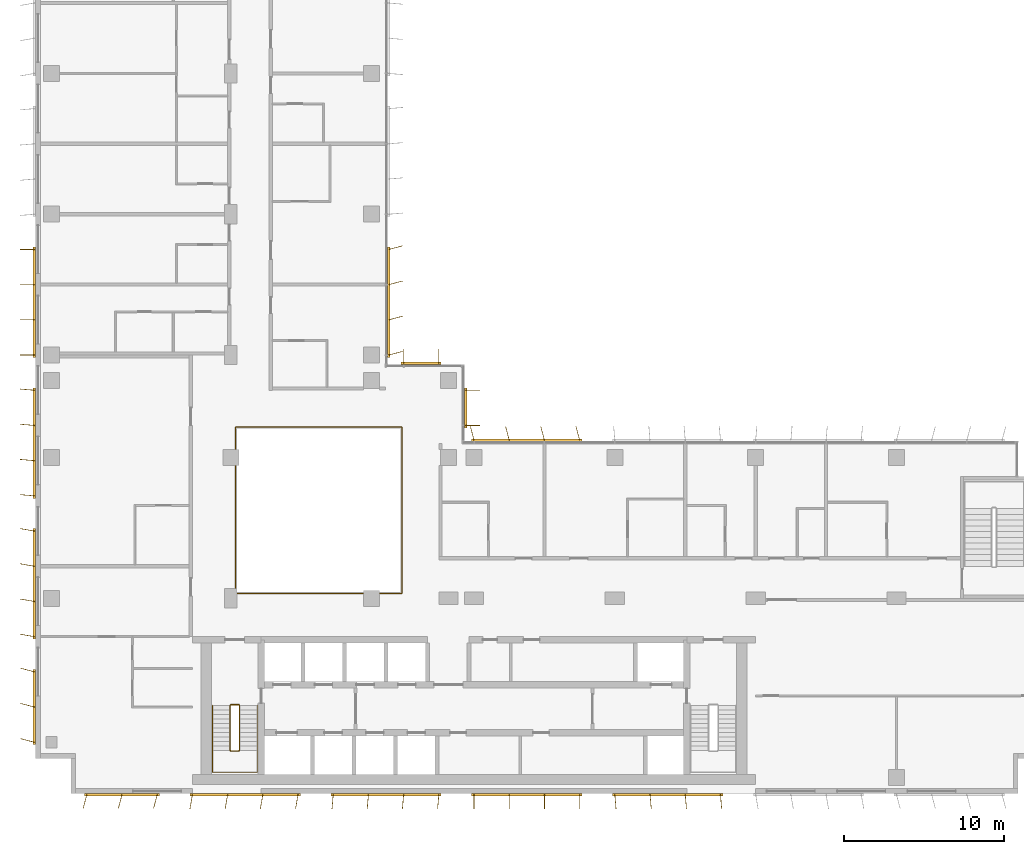
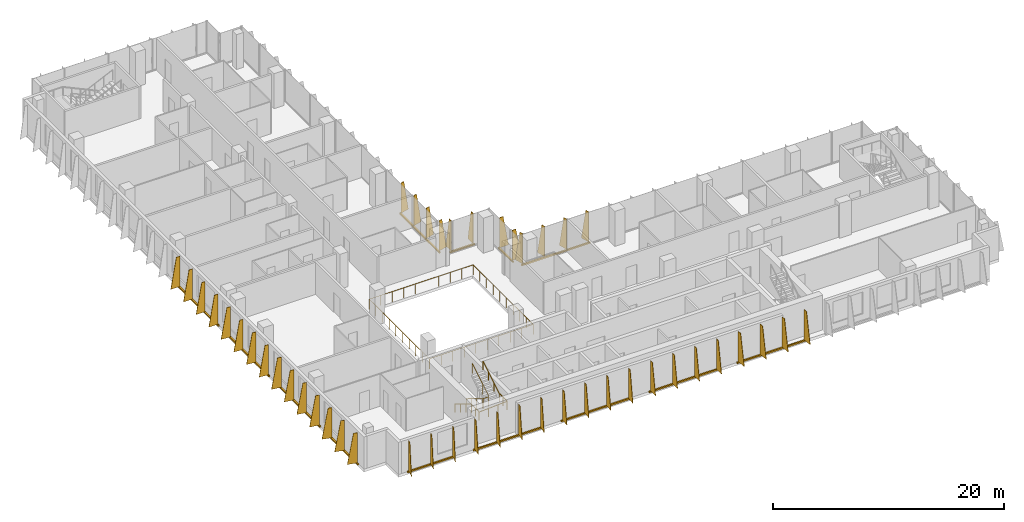
# One storey, part 19 of 21: 13 shading devices, 3 railings.
"""IFC4 building model written with IfcOpenShell, lengths in metres."""

from ifc_helpers import new_model, si_unit, direction, frame, origin, origin_2d, place, context, subcontext, project, spatial, polyline, rectangle, circle, outline, extrude, source, transform, mapped, material, layer, layer_set, type_object, element, save


model = new_model("IFC4")

# Units and contexts
model_context = context("Model", 3, precision=1e-05, world=origin(), true_north=direction((0.0, 1.0)))
body_context = subcontext(model_context, "Body", "Model", "MODEL_VIEW")
ifc_project = project(units=[si_unit("LENGTHUNIT", "METRE"), si_unit("AREAUNIT", "SQUARE_METRE"), si_unit("VOLUMEUNIT", "CUBIC_METRE"), si_unit("PLANEANGLEUNIT", "RADIAN"), si_unit("MASSUNIT", "GRAM", prefix="KILO")], contexts=[model_context])

# Site, building, storey
site_placement = place(None, origin())
site = spatial("IfcSite", under=ifc_project, at=site_placement, CompositionType="ELEMENT")
building_placement = place(site_placement, origin())
building = spatial("IfcBuilding", under=site, at=building_placement, Name="Kemantara Hotel Tower", CompositionType="ELEMENT")
storey_placement = place(building_placement, frame((0.0, 0.0, 175.300048828125)))
storey = spatial("IfcBuildingStorey", under=building, at=storey_placement, Name="L43", CompositionType="ELEMENT", Elevation=175.300048828125)

# Railings
ifc_material_1 = material(Name="Stainless steel and laminated glass balustrade", Category="steel")
railing_type_1 = type_object("IfcRailingType", Name="ATRIUM GUARD 1100", PredefinedType="GUARDRAIL", material=ifc_material_1)
railing_1_placement = place(storey_placement, frame((12.56005859375, 12.5, 0.0)))
element("IfcRailing", 1, at=railing_1_placement, inside=storey, type_object=railing_type_1, Name="ATRIUM GUARD L43", PredefinedType="GUARDRAIL", context=body_context, shape_type="SweptSolid", body=[
    extrude(circle(Radius=0.02490234375, at=origin_2d()), frame((0.0, 0.0, 1.0751953125), z_axis=(1.0, 0.0, 0.0), x_axis=(0.0, 1.0, 0.0)), (0.0, 0.0, 1.0), 10.33984375),
    extrude(circle(Radius=0.02490234375, at=origin_2d()), frame((10.33984375, 0.0, 1.0751953125), z_axis=(0.0, 1.0, 0.0), x_axis=(-1.0, 0.0, 0.0)), (0.0, 0.0, 1.0), 10.39990234375),
    extrude(circle(Radius=0.02490234375, at=origin_2d()), frame((10.33984375, 10.39990234375, 1.0751953125), z_axis=(-1.0, 0.0, 0.0), x_axis=(0.0, -1.0, 0.0)), (0.0, 0.0, 1.0), 10.39990234375),
    extrude(circle(Radius=0.02490234375, at=origin_2d()), frame((-0.06005859375, 10.39990234375, 1.0751953125), z_axis=(0.0, -1.0, 0.0), x_axis=(1.0, 0.0, 0.0)), (0.0, 0.0, 1.0), 10.39990234375),
    extrude(circle(Radius=0.02001953125, at=origin_2d()), origin(), (0.0, 0.0, 1.0), 1.050048828125),
    extrude(circle(Radius=0.02001953125, at=origin_2d()), frame((1.14892578125, 0.0, 0.0)), (0.0, 0.0, 1.0), 1.050048828125),
    extrude(circle(Radius=0.02001953125, at=origin_2d()), frame((2.2978515625, 0.0, 0.0)), (0.0, 0.0, 1.0), 1.050048828125),
    extrude(circle(Radius=0.02001953125, at=origin_2d()), frame((3.446533203125, 0.0, 0.0)), (0.0, 0.0, 1.0), 1.050048828125),
    extrude(circle(Radius=0.02001953125, at=origin_2d()), frame((4.595458984375, 0.0, 0.0)), (0.0, 0.0, 1.0), 1.050048828125),
    extrude(circle(Radius=0.02001953125, at=origin_2d()), frame((5.744384765625, 0.0, 0.0)), (0.0, 0.0, 1.0), 1.050048828125),
    extrude(circle(Radius=0.02001953125, at=origin_2d()), frame((6.893310546875, 0.0, 0.0)), (0.0, 0.0, 1.0), 1.050048828125),
    extrude(circle(Radius=0.02001953125, at=origin_2d()), frame((8.0419921875, 0.0, 0.0)), (0.0, 0.0, 1.0), 1.050048828125),
    extrude(circle(Radius=0.02001953125, at=origin_2d()), frame((9.19091796875, 0.0, 0.0)), (0.0, 0.0, 1.0), 1.050048828125),
    extrude(circle(Radius=0.02001953125, at=origin_2d()), frame((10.33984375, 0.0, 0.0)), (0.0, 0.0, 1.0), 1.050048828125),
    extrude(circle(Radius=0.02001953125, at=origin_2d()), frame((10.33984375, 1.155517578125, 0.0)), (0.0, 0.0, 1.0), 1.050048828125),
    extrude(circle(Radius=0.02001953125, at=origin_2d()), frame((10.33984375, 2.31103515625, 0.0)), (0.0, 0.0, 1.0), 1.050048828125),
    extrude(circle(Radius=0.02001953125, at=origin_2d()), frame((10.33984375, 3.466552734375, 0.0)), (0.0, 0.0, 1.0), 1.050048828125),
    extrude(circle(Radius=0.02001953125, at=origin_2d()), frame((10.33984375, 4.6220703125, 0.0)), (0.0, 0.0, 1.0), 1.050048828125),
    extrude(circle(Radius=0.02001953125, at=origin_2d()), frame((10.33984375, 5.77783203125, 0.0)), (0.0, 0.0, 1.0), 1.050048828125),
    extrude(circle(Radius=0.02001953125, at=origin_2d()), frame((10.33984375, 6.933349609375, 0.0)), (0.0, 0.0, 1.0), 1.050048828125),
    extrude(circle(Radius=0.02001953125, at=origin_2d()), frame((10.33984375, 8.0888671875, 0.0)), (0.0, 0.0, 1.0), 1.050048828125),
    extrude(circle(Radius=0.02001953125, at=origin_2d()), frame((10.33984375, 9.244384765625, 0.0)), (0.0, 0.0, 1.0), 1.050048828125),
    extrude(circle(Radius=0.02001953125, at=origin_2d()), frame((10.33984375, 10.39990234375, 0.0)), (0.0, 0.0, 1.0), 1.050048828125),
    extrude(circle(Radius=0.02001953125, at=origin_2d()), frame((9.184326171875, 10.39990234375, 0.0)), (0.0, 0.0, 1.0), 1.050048828125),
    extrude(circle(Radius=0.02001953125, at=origin_2d()), frame((8.02880859375, 10.39990234375, 0.0)), (0.0, 0.0, 1.0), 1.050048828125),
    extrude(circle(Radius=0.02001953125, at=origin_2d()), frame((6.873291015625, 10.39990234375, 0.0)), (0.0, 0.0, 1.0), 1.050048828125),
    extrude(circle(Radius=0.02001953125, at=origin_2d()), frame((5.7177734375, 10.39990234375, 0.0)), (0.0, 0.0, 1.0), 1.050048828125),
    extrude(circle(Radius=0.02001953125, at=origin_2d()), frame((4.56201171875, 10.39990234375, 0.0)), (0.0, 0.0, 1.0), 1.050048828125),
    extrude(circle(Radius=0.02001953125, at=origin_2d()), frame((3.406494140625, 10.39990234375, 0.0)), (0.0, 0.0, 1.0), 1.050048828125),
    extrude(circle(Radius=0.02001953125, at=origin_2d()), frame((2.2509765625, 10.39990234375, 0.0)), (0.0, 0.0, 1.0), 1.050048828125),
    extrude(circle(Radius=0.02001953125, at=origin_2d()), frame((1.095458984375, 10.39990234375, 0.0)), (0.0, 0.0, 1.0), 1.050048828125),
    extrude(circle(Radius=0.02001953125, at=origin_2d()), frame((-0.06005859375, 10.39990234375, 0.0)), (0.0, 0.0, 1.0), 1.050048828125),
    extrude(circle(Radius=0.02001953125, at=origin_2d()), frame((-0.06005859375, 9.244384765625, 0.0)), (0.0, 0.0, 1.0), 1.050048828125),
    extrude(circle(Radius=0.02001953125, at=origin_2d()), frame((-0.06005859375, 8.0888671875, 0.0)), (0.0, 0.0, 1.0), 1.050048828125),
    extrude(circle(Radius=0.02001953125, at=origin_2d()), frame((-0.06005859375, 6.933349609375, 0.0)), (0.0, 0.0, 1.0), 1.050048828125),
    extrude(circle(Radius=0.02001953125, at=origin_2d()), frame((-0.06005859375, 5.77783203125, 0.0)), (0.0, 0.0, 1.0), 1.050048828125),
    extrude(circle(Radius=0.02001953125, at=origin_2d()), frame((-0.06005859375, 4.6220703125, 0.0)), (0.0, 0.0, 1.0), 1.050048828125),
    extrude(circle(Radius=0.02001953125, at=origin_2d()), frame((-0.06005859375, 3.466552734375, 0.0)), (0.0, 0.0, 1.0), 1.050048828125),
    extrude(circle(Radius=0.02001953125, at=origin_2d()), frame((-0.06005859375, 2.31103515625, 0.0)), (0.0, 0.0, 1.0), 1.050048828125),
    extrude(circle(Radius=0.02001953125, at=origin_2d()), frame((-0.06005859375, 1.155517578125, 0.0)), (0.0, 0.0, 1.0), 1.050048828125),
    extrude(circle(Radius=0.02001953125, at=origin_2d()), frame((-0.06005859375, 0.0, 0.0)), (0.0, 0.0, 1.0), 1.050048828125),
])
ifc_material_2 = material(Name="Stainless steel balustrade", Category="steel")
railing_type_2 = type_object("IfcRailingType", Name="Stair guard 1100 mm", PredefinedType="GUARDRAIL", material=ifc_material_2)
railing_2_placement = place(storey_placement, frame((12.75, 5.5, 3.699951171875)))
element("IfcRailing", 2, at=railing_2_placement, inside=storey, type_object=railing_type_2, Name="L43 ST1 stair guard 1", PredefinedType="GUARDRAIL", context=body_context, shape_type="SweptSolid", body=[
    extrude(circle(Radius=0.02392578125, at=origin_2d()), frame((0.0, 0.0, 1.076171875), z_axis=(0.0, -0.857242210791, -0.514913383045), x_axis=(1.0, 0.0, 0.0)), (0.0, 0.0, 1.0), 3.266357421875),
    extrude(circle(Radius=0.02392578125, at=origin_2d()), frame((0.0, -2.800048828125, -0.60595703125), z_axis=(-0.274243871929, -0.274243871929, -0.92172696468), x_axis=(0.707106781187, -0.707106781187, 0.0)), (0.0, 0.0, 1.0), 0.1826171875),
    extrude(circle(Radius=0.02392578125, at=origin_2d()), frame((-0.050048828125, -2.85009765625, -0.77392578125), z_axis=(-1.0, 0.0, 0.0), x_axis=(0.0, -1.0, 0.0)), (0.0, 0.0, 1.0), 0.5),
    extrude(circle(Radius=0.02392578125, at=origin_2d()), frame((-0.550048828125, -2.85009765625, -0.77392578125), z_axis=(-0.707106781187, 0.707106781187, 0.0), x_axis=(-0.707106781187, -0.707106781187, 0.0)), (0.0, 0.0, 1.0), 0.07080078125),
    extrude(circle(Radius=0.02392578125, at=origin_2d()), frame((-0.60009765625, -2.800048828125, -0.77392578125), z_axis=(0.0, 0.857275202839, -0.514858452973), x_axis=(-1.0, 0.0, 0.0)), (0.0, 0.0, 1.0), 3.26611328125),
    extrude(circle(Radius=0.02392578125, at=origin_2d()), frame((-0.60009765625, 0.0, -2.45556640625), z_axis=(0.274243871929, 0.274243871929, -0.92172696468), x_axis=(-0.707106781187, 0.707106781187, 0.0)), (0.0, 0.0, 1.0), 0.1826171875),
    extrude(circle(Radius=0.02392578125, at=origin_2d()), frame((-0.550048828125, 0.050048828125, -2.6240234375), z_axis=(1.0, 0.0, 0.0), x_axis=(0.0, 1.0, 0.0)), (0.0, 0.0, 1.0), 0.5),
    extrude(circle(Radius=0.02099609375, at=origin_2d()), origin(), (0.0, 0.0, 1.0), 1.052001953125),
    extrude(circle(Radius=0.02099609375, at=origin_2d()), frame((0.0, -0.933349609375, -0.560546875)), (0.0, 0.0, 1.0), 1.052001953125),
    extrude(circle(Radius=0.02099609375, at=origin_2d()), frame((0.0, -1.86669921875, -1.121337890625)), (0.0, 0.0, 1.0), 1.052001953125),
    extrude(circle(Radius=0.02099609375, at=origin_2d()), frame((0.0, -2.800048828125, -1.681884765625)), (0.0, 0.0, 1.0), 1.052001953125),
    extrude(circle(Radius=0.02099609375, at=origin_2d()), frame((-0.050048828125, -2.85009765625, -1.85009765625)), (0.0, 0.0, 1.0), 1.052001953125),
    extrude(circle(Radius=0.02099609375, at=origin_2d()), frame((-0.550048828125, -2.85009765625, -1.85009765625)), (0.0, 0.0, 1.0), 1.052001953125),
    extrude(circle(Radius=0.02099609375, at=origin_2d()), frame((-0.60009765625, -2.800048828125, -1.85009765625)), (0.0, 0.0, 1.0), 1.052001953125),
    extrude(circle(Radius=0.02099609375, at=origin_2d()), frame((-0.60009765625, -1.86669921875, -2.41064453125)), (0.0, 0.0, 1.0), 1.052001953125),
    extrude(circle(Radius=0.02099609375, at=origin_2d()), frame((-0.60009765625, -0.933349609375, -2.97119140625)), (0.0, 0.0, 1.0), 1.052001953125),
    extrude(circle(Radius=0.02099609375, at=origin_2d()), frame((-0.60009765625, 0.0, -3.53173828125)), (0.0, 0.0, 1.0), 1.052001953125),
    extrude(circle(Radius=0.02099609375, at=origin_2d()), frame((-0.550048828125, 0.050048828125, -3.699951171875)), (0.0, 0.0, 1.0), 1.052001953125),
    extrude(circle(Radius=0.02099609375, at=origin_2d()), frame((-0.050048828125, 0.050048828125, -3.699951171875)), (0.0, 0.0, 1.0), 1.052001953125),
])
railing_type_3 = type_object("IfcRailingType", Name="Stair handrail 900 mm", PredefinedType="HANDRAIL", material=ifc_material_2)
railing_3_placement = place(storey_placement, frame((11.050048828125, 5.5, 0.168212890625)))
element("IfcRailing", 3, at=railing_3_placement, inside=storey, type_object=railing_type_3, Name="L43 ST1 stair handrail 1", PredefinedType="HANDRAIL", context=body_context, shape_type="SweptSolid", body=[
    extrude(circle(Radius=0.02392578125, at=origin_2d()), frame((0.0, 0.0, 0.8759765625), z_axis=(0.0, -0.857275202839, 0.514858452973), x_axis=(1.0, 0.0, 0.0)), (0.0, 0.0, 1.0), 3.26611328125),
    extrude(circle(Radius=0.02392578125, at=origin_2d()), frame((0.0, -2.800048828125, 2.5576171875), z_axis=(0.0, -1.0, 0.0), x_axis=(1.0, 0.0, 0.0)), (0.0, 0.0, 1.0), 1.3798828125),
    extrude(circle(Radius=0.02392578125, at=origin_2d()), frame((0.0, -4.179931640625, 2.5576171875), z_axis=(0.998200367801, 0.0, 0.059966871865), x_axis=(0.0, 1.0, 0.0)), (0.0, 0.0, 1.0), 2.80517578125),
    extrude(circle(Radius=0.02392578125, at=origin_2d()), frame((2.800048828125, -4.179931640625, 2.7255859375), z_axis=(0.0, 1.0, 0.0), x_axis=(-1.0, 0.0, 0.0)), (0.0, 0.0, 1.0), 1.3798828125),
    extrude(circle(Radius=0.02392578125, at=origin_2d()), frame((2.800048828125, -2.800048828125, 2.7255859375), z_axis=(0.0, 0.857242210791, 0.514913383045), x_axis=(-1.0, 0.0, 0.0)), (0.0, 0.0, 1.0), 3.266357421875),
    extrude(circle(Radius=0.02099609375, at=origin_2d()), origin(), (0.0, 0.0, 1.0), 0.851806640625),
    extrude(circle(Radius=0.02099609375, at=origin_2d()), frame((0.0, -0.933349609375, 0.560546875)), (0.0, 0.0, 1.0), 0.851806640625),
    extrude(circle(Radius=0.02099609375, at=origin_2d()), frame((0.0, -1.86669921875, 1.12109375)), (0.0, 0.0, 1.0), 0.851806640625),
    extrude(circle(Radius=0.02099609375, at=origin_2d()), frame((0.0, -2.800048828125, 1.681640625)), (0.0, 0.0, 1.0), 0.851806640625),
    extrude(circle(Radius=0.02099609375, at=origin_2d()), frame((0.0, -3.489990234375, 1.681640625)), (0.0, 0.0, 1.0), 0.851806640625),
    extrude(circle(Radius=0.02099609375, at=origin_2d()), frame((0.0, -4.179931640625, 1.681640625)), (0.0, 0.0, 1.0), 0.851806640625),
    extrude(circle(Radius=0.02099609375, at=origin_2d()), frame((0.933349609375, -4.179931640625, 1.73779296875)), (0.0, 0.0, 1.0), 0.851806640625),
    extrude(circle(Radius=0.02099609375, at=origin_2d()), frame((1.86669921875, -4.179931640625, 1.793701171875)), (0.0, 0.0, 1.0), 0.851806640625),
    extrude(circle(Radius=0.02099609375, at=origin_2d()), frame((2.800048828125, -4.179931640625, 1.849853515625)), (0.0, 0.0, 1.0), 0.851806640625),
    extrude(circle(Radius=0.02099609375, at=origin_2d()), frame((2.800048828125, -3.489990234375, 1.849853515625)), (0.0, 0.0, 1.0), 0.851806640625),
    extrude(circle(Radius=0.02099609375, at=origin_2d()), frame((2.800048828125, -2.800048828125, 1.849853515625)), (0.0, 0.0, 1.0), 0.851806640625),
    extrude(circle(Radius=0.02099609375, at=origin_2d()), frame((2.800048828125, -1.86669921875, 2.410400390625)), (0.0, 0.0, 1.0), 0.851806640625),
    extrude(circle(Radius=0.02099609375, at=origin_2d()), frame((2.800048828125, -0.933349609375, 2.97119140625)), (0.0, 0.0, 1.0), 0.851806640625),
    extrude(circle(Radius=0.02099609375, at=origin_2d()), frame((2.800048828125, 0.0, 3.53173828125)), (0.0, 0.0, 1.0), 0.851806640625),
])

# Shading devices
ifc_material_3 = material(Name="Perforated aluminium plate 4 mm bronze anodised", Category="aluminium")
ifc_layer_1 = layer(ifc_material_3, 0.0400390625)
ifc_layer_set_1 = layer_set([ifc_layer_1], Name="Perforated aluminium plate 4 mm bronze anodised")
shading_device_type_1 = type_object("IfcShadingDeviceType", Name="SCREEN FIN CASSETTE, 3 BLADES AT -15.0 DEG, 3200 HIGH", PredefinedType="USERDEFINED", material=ifc_layer_set_1)
shared_shape_1 = source(origin(), body_context, "Body", "SweptSolid", [
    extrude(rectangle(XDim=4.699951171875, YDim=0.14990234375, at=origin_2d()), frame((2.199951171875, -0.074951171875, -0.14990234375), z_axis=(0.0, 0.0, 1.0), x_axis=(1.0, 0.0, 0.0)), (0.0, 0.0, 1.0), 0.14990234375),
    extrude(outline(polyline([(0.0, 0.0), (0.89990234375, 0.0), (0.35009765625, 3.199951171875), (0.0, 3.199951171875), (0.0, 0.0)])), frame((0.019287109375, -0.080078125, 0.0), z_axis=(-0.966437683387, 0.256901156343, 0.0), x_axis=(-0.256901156343, -0.966437683387, 0.0)), (0.0, 0.0, 1.0), 0.039794921875),
    extrude(outline(polyline([(0.0, 0.0), (0.89990234375, 0.0), (0.35009765625, 3.199951171875), (0.0, 3.199951171875), (0.0, 0.0)])), frame((2.21923828125, -0.080078125, 0.0), z_axis=(-0.966437683387, 0.256901156343, 0.0), x_axis=(-0.256901156343, -0.966437683387, 0.0)), (0.0, 0.0, 1.0), 0.039794921875),
    extrude(outline(polyline([(0.0, 0.0), (0.89990234375, 0.0), (0.35009765625, 3.199951171875), (0.0, 3.199951171875), (0.0, 0.0)])), frame((4.41943359375, -0.080078125, 0.0), z_axis=(-0.966837822169, 0.255391122837, 0.0), x_axis=(-0.255391122837, -0.966837822169, 0.0)), (0.0, 0.0, 1.0), 0.0400390625),
])
for number, where, z_axis, x_axis, name in (
    (4, (0.0, 7.60009765625, 0.099853515625), (0.0, 0.0, 1.0), (0.0, -1.0, 0.0), "SCREEN FIN CASSETTE L43 T3-R05-7"),
    (5, (3.199951171875, 0.0, 0.099853515625), (0.0, 0.0, 1.0), (1.0, 0.0, 0.0), "SCREEN FIN CASSETTE L43 T3-R08-1"),
):
    element("IfcShadingDevice", number, at=place(storey_placement, frame(where, z_axis=z_axis, x_axis=x_axis)), inside=storey, type_object=shading_device_type_1, Name=name, ObjectType="SCREEN FIN", PredefinedType="USERDEFINED", context=body_context, shape_type="MappedRepresentation", body=[
        mapped(shared_shape_1, transform((0.0, 0.0, 0.0))),
    ])
ifc_layer_2 = layer(ifc_material_3, 0.0400390625)
ifc_layer_set_2 = layer_set([ifc_layer_2], Name="Perforated aluminium plate 4 mm bronze anodised")
shading_device_type_2 = type_object("IfcShadingDeviceType", Name="SCREEN FIN CASSETTE, 4 BLADES AT -10.0 DEG, 3200 HIGH", PredefinedType="USERDEFINED", material=ifc_layer_set_2)
shared_shape_2 = source(origin(), body_context, "Body", "SweptSolid", [
    extrude(rectangle(XDim=6.89990234375, YDim=0.14990234375, at=origin_2d()), frame((3.300048828125, -0.074951171875, -0.14990234375), z_axis=(0.0, 0.0, 1.0), x_axis=(1.0, 0.0, 0.0)), (0.0, 0.0, 1.0), 0.14990234375),
    extrude(outline(polyline([(0.0, 0.0), (0.89990234375, 0.0), (0.35009765625, 3.199951171875), (0.0, 3.199951171875), (0.0, 0.0)])), frame((0.019775390625, -0.078369140625, 0.0), z_axis=(-0.985389793052, 0.170314285219, 0.0), x_axis=(-0.170314285219, -0.985389793052, 0.0)), (0.0, 0.0, 1.0), 0.0400390625),
    extrude(outline(polyline([(0.0, 0.0), (0.89990234375, 0.0), (0.35009765625, 3.199951171875), (0.0, 3.199951171875), (0.0, 0.0)])), frame((2.2197265625, -0.078369140625, 0.0), z_axis=(-0.98521175482, 0.171341174751, 0.0), x_axis=(-0.171341174751, -0.98521175482, 0.0)), (0.0, 0.0, 1.0), 0.039794921875),
    extrude(outline(polyline([(0.0, 0.0), (0.89990234375, 0.0), (0.35009765625, 3.199951171875), (0.0, 3.199951171875), (0.0, 0.0)])), frame((4.419677734375, -0.078369140625, 0.0), z_axis=(-0.98521175482, 0.171341174751, 0.0), x_axis=(-0.171341174751, -0.98521175482, 0.0)), (0.0, 0.0, 1.0), 0.039794921875),
    extrude(outline(polyline([(0.0, 0.0), (0.89990234375, 0.0), (0.35009765625, 3.199951171875), (0.0, 3.199951171875), (0.0, 0.0)])), frame((6.61962890625, -0.078369140625, 0.0), z_axis=(-0.98521175482, 0.171341174751, 0.0), x_axis=(-0.171341174751, -0.98521175482, 0.0)), (0.0, 0.0, 1.0), 0.039794921875),
])
for number, where, z_axis, x_axis, name in (
    (6, (0.0, 16.39990234375, 0.099853515625), (0.0, 0.0, 1.0), (0.0, -1.0, 0.0), "SCREEN FIN CASSETTE L43 T3-R05-6"),
    (7, (9.800048828125, 0.0, 0.099853515625), (0.0, 0.0, 1.0), (1.0, 0.0, 0.0), "SCREEN FIN CASSETTE L43 T3-R08-2"),
):
    element("IfcShadingDevice", number, at=place(storey_placement, frame(where, z_axis=z_axis, x_axis=x_axis)), inside=storey, type_object=shading_device_type_2, Name=name, ObjectType="SCREEN FIN", PredefinedType="USERDEFINED", context=body_context, shape_type="MappedRepresentation", body=[
        mapped(shared_shape_2, transform((0.0, 0.0, 0.0))),
    ])
ifc_layer_3 = layer(ifc_material_3, 0.0400390625)
ifc_layer_set_3 = layer_set([ifc_layer_3], Name="Perforated aluminium plate 4 mm bronze anodised")
shading_device_type_3 = type_object("IfcShadingDeviceType", Name="SCREEN FIN CASSETTE, 4 BLADES AT -5.0 DEG, 3200 HIGH", PredefinedType="USERDEFINED", material=ifc_layer_set_3)
shared_shape_3 = source(origin(), body_context, "Body", "SweptSolid", [
    extrude(rectangle(XDim=6.89990234375, YDim=0.14990234375, at=origin_2d()), frame((3.300048828125, -0.074951171875, -0.14990234375), z_axis=(0.0, 0.0, 1.0), x_axis=(1.0, 0.0, 0.0)), (0.0, 0.0, 1.0), 0.14990234375),
    extrude(outline(polyline([(0.0, 0.0), (0.89990234375, 0.0), (0.35009765625, 3.199951171875), (0.0, 3.199951171875), (0.0, 0.0)])), frame((0.02001953125, -0.07666015625, 0.0), z_axis=(-0.996376129781, 0.085056498884, 0.0), x_axis=(-0.085056498884, -0.996376129781, 0.0)), (0.0, 0.0, 1.0), 0.040283203125),
    extrude(outline(polyline([(0.0, 0.0), (0.89990234375, 0.0), (0.35009765625, 3.199951171875), (0.0, 3.199951171875), (0.0, 0.0)])), frame((2.219970703125, -0.07666015625, 0.0), z_axis=(-0.996331773833, 0.085574508182, 0.0), x_axis=(-0.085574508182, -0.996331773833, 0.0)), (0.0, 0.0, 1.0), 0.0400390625),
    extrude(outline(polyline([(0.0, 0.0), (0.89990234375, 0.0), (0.35009765625, 3.199951171875), (0.0, 3.199951171875), (0.0, 0.0)])), frame((4.419921875, -0.07666015625, 0.0), z_axis=(-0.996331773833, 0.085574508182, 0.0), x_axis=(-0.085574508182, -0.996331773833, 0.0)), (0.0, 0.0, 1.0), 0.0400390625),
    extrude(outline(polyline([(0.0, 0.0), (0.89990234375, 0.0), (0.35009765625, 3.199951171875), (0.0, 3.199951171875), (0.0, 0.0)])), frame((6.619873046875, -0.07666015625, 0.0), z_axis=(-0.996331773833, 0.085574508182, 0.0), x_axis=(-0.085574508182, -0.996331773833, 0.0)), (0.0, 0.0, 1.0), 0.0400390625),
])
for number, where, z_axis, x_axis, name in (
    (8, (0.0, 25.199951171875, 0.099853515625), (0.0, 0.0, 1.0), (0.0, -1.0, 0.0), "SCREEN FIN CASSETTE L43 T3-R05-5"),
    (9, (18.60009765625, 0.0, 0.099853515625), (0.0, 0.0, 1.0), (1.0, 0.0, 0.0), "SCREEN FIN CASSETTE L43 T3-R08-3"),
):
    element("IfcShadingDevice", number, at=place(storey_placement, frame(where, z_axis=z_axis, x_axis=x_axis)), inside=storey, type_object=shading_device_type_3, Name=name, ObjectType="SCREEN FIN", PredefinedType="USERDEFINED", context=body_context, shape_type="MappedRepresentation", body=[
        mapped(shared_shape_3, transform((0.0, 0.0, 0.0))),
    ])
ifc_layer_4 = layer(ifc_material_3, 0.0400390625)
ifc_layer_set_4 = layer_set([ifc_layer_4], Name="Perforated aluminium plate 4 mm bronze anodised")
shading_device_type_4 = type_object("IfcShadingDeviceType", Name="SCREEN FIN CASSETTE, 4 BLADES AT +0.0 DEG, 3200 HIGH", PredefinedType="USERDEFINED", material=ifc_layer_set_4)
shared_shape_4 = source(origin(), body_context, "Body", "SweptSolid", [
    extrude(rectangle(XDim=6.89990234375, YDim=0.14990234375, at=origin_2d()), frame((3.300048828125, -0.074951171875, -0.14990234375), z_axis=(0.0, 0.0, 1.0), x_axis=(1.0, 0.0, 0.0)), (0.0, 0.0, 1.0), 0.14990234375),
    extrude(outline(polyline([(0.0, 0.0), (0.89990234375, 0.0), (0.35009765625, 3.199951171875), (0.0, 3.199951171875), (0.0, 0.0)])), frame((0.02001953125, -0.074951171875, 0.0), z_axis=(-1.0, 0.0, 0.0), x_axis=(0.0, -1.0, 0.0)), (0.0, 0.0, 1.0), 0.0400390625),
    extrude(outline(polyline([(0.0, 0.0), (0.89990234375, 0.0), (0.35009765625, 3.199951171875), (0.0, 3.199951171875), (0.0, 0.0)])), frame((2.219970703125, -0.074951171875, 0.0), z_axis=(-1.0, 0.0, 0.0), x_axis=(0.0, -1.0, 0.0)), (0.0, 0.0, 1.0), 0.0400390625),
    extrude(outline(polyline([(0.0, 0.0), (0.89990234375, 0.0), (0.35009765625, 3.199951171875), (0.0, 3.199951171875), (0.0, 0.0)])), frame((4.419921875, -0.074951171875, 0.0), z_axis=(-1.0, 0.0, 0.0), x_axis=(0.0, -1.0, 0.0)), (0.0, 0.0, 1.0), 0.0400390625),
    extrude(outline(polyline([(0.0, 0.0), (0.89990234375, 0.0), (0.35009765625, 3.199951171875), (0.0, 3.199951171875), (0.0, 0.0)])), frame((6.6201171875, -0.074951171875, 0.0), z_axis=(-1.0, 0.0, 0.0), x_axis=(0.0, -1.0, 0.0)), (0.0, 0.0, 1.0), 0.0400390625),
])
for number, where, z_axis, x_axis, name in (
    (10, (0.0, 34.0, 0.099853515625), (0.0, 0.0, 1.0), (0.0, -1.0, 0.0), "SCREEN FIN CASSETTE L43 T3-R05-4"),
    (11, (27.39990234375, 0.0, 0.099853515625), (0.0, 0.0, 1.0), (1.0, 0.0, 0.0), "SCREEN FIN CASSETTE L43 T3-R08-4"),
):
    element("IfcShadingDevice", number, at=place(storey_placement, frame(where, z_axis=z_axis, x_axis=x_axis)), inside=storey, type_object=shading_device_type_4, Name=name, ObjectType="SCREEN FIN", PredefinedType="USERDEFINED", context=body_context, shape_type="MappedRepresentation", body=[
        mapped(shared_shape_4, transform((0.0, 0.0, 0.0))),
    ])
ifc_layer_5 = layer(ifc_material_3, 0.0400390625)
ifc_layer_set_5 = layer_set([ifc_layer_5], Name="Perforated aluminium plate 4 mm bronze anodised")
shading_device_type_5 = type_object("IfcShadingDeviceType", Name="SCREEN FIN CASSETTE, 4 BLADES AT +5.0 DEG, 3200 HIGH", PredefinedType="USERDEFINED", material=ifc_layer_set_5)
shared_shape_5 = source(origin(), body_context, "Body", "SweptSolid", [
    extrude(rectangle(XDim=6.89990234375, YDim=0.14990234375, at=origin_2d()), frame((3.300048828125, -0.074951171875, -0.14990234375), z_axis=(0.0, 0.0, 1.0), x_axis=(1.0, 0.0, 0.0)), (0.0, 0.0, 1.0), 0.14990234375),
    extrude(outline(polyline([(0.0, 0.0), (0.89990234375, 0.0), (0.35009765625, 3.199951171875), (0.0, 3.199951171875), (0.0, 0.0)])), frame((0.02001953125, -0.0732421875, 0.0), z_axis=(-0.996376129781, -0.085056498884, 0.0), x_axis=(0.085056498884, -0.996376129781, 0.0)), (0.0, 0.0, 1.0), 0.040283203125),
    extrude(outline(polyline([(0.0, 0.0), (0.89990234375, 0.0), (0.35009765625, 3.199951171875), (0.0, 3.199951171875), (0.0, 0.0)])), frame((2.219970703125, -0.0732421875, 0.0), z_axis=(-0.996331773833, -0.085574508182, 0.0), x_axis=(0.085574508182, -0.996331773833, 0.0)), (0.0, 0.0, 1.0), 0.0400390625),
    extrude(outline(polyline([(0.0, 0.0), (0.89990234375, 0.0), (0.35009765625, 3.199951171875), (0.0, 3.199951171875), (0.0, 0.0)])), frame((4.419921875, -0.0732421875, 0.0), z_axis=(-0.996331773833, -0.085574508182, 0.0), x_axis=(0.085574508182, -0.996331773833, 0.0)), (0.0, 0.0, 1.0), 0.0400390625),
    extrude(outline(polyline([(0.0, 0.0), (0.89990234375, 0.0), (0.35009765625, 3.199951171875), (0.0, 3.199951171875), (0.0, 0.0)])), frame((6.619873046875, -0.0732421875, 0.0), z_axis=(-0.996331773833, -0.085574508182, 0.0), x_axis=(0.085574508182, -0.996331773833, 0.0)), (0.0, 0.0, 1.0), 0.0400390625),
])
shading_device_placement = place(storey_placement, frame((36.199951171875, 0.0, 0.099853515625), z_axis=(0.0, 0.0, 1.0), x_axis=(1.0, 0.0, 0.0)))
element("IfcShadingDevice", 12, at=shading_device_placement, inside=storey, type_object=shading_device_type_5, Name="SCREEN FIN CASSETTE L43 T3-R08-5", ObjectType="SCREEN FIN", PredefinedType="USERDEFINED", context=body_context, shape_type="MappedRepresentation", body=[
    mapped(shared_shape_5, transform((0.0, 0.0, 0.0))),
])
ifc_layer_6 = layer(ifc_material_3, 0.0400390625)
ifc_layer_set_6 = layer_set([ifc_layer_6], Name="Perforated aluminium plate 4 mm bronze anodised")
shading_device_type_6 = type_object("IfcShadingDeviceType", Name="SCREEN FIN CASSETTE, 4 BLADES AT +15.0 DEG, 3200 HIGH", PredefinedType="USERDEFINED", material=ifc_layer_set_6)
shared_shape_6 = source(origin(), body_context, "Body", "SweptSolid", [
    extrude(rectangle(XDim=6.89990234375, YDim=0.14990234375, at=origin_2d()), frame((3.300048828125, -0.074951171875, -0.14990234375), z_axis=(0.0, 0.0, 1.0), x_axis=(1.0, 0.0, 0.0)), (0.0, 0.0, 1.0), 0.14990234375),
    extrude(outline(polyline([(0.0, 0.0), (0.89990234375, 0.0), (0.35009765625, 3.199951171875), (0.0, 3.199951171875), (0.0, 0.0)])), frame((0.019287109375, -0.06982421875, 0.0), z_axis=(-0.966437683387, -0.256901156343, 0.0), x_axis=(0.256901156343, -0.966437683387, 0.0)), (0.0, 0.0, 1.0), 0.039794921875),
    extrude(outline(polyline([(0.0, 0.0), (0.89990234375, 0.0), (0.35009765625, 3.199951171875), (0.0, 3.199951171875), (0.0, 0.0)])), frame((2.21923828125, -0.06982421875, 0.0), z_axis=(-0.966437683387, -0.256901156343, 0.0), x_axis=(0.256901156343, -0.966437683387, 0.0)), (0.0, 0.0, 1.0), 0.039794921875),
    extrude(outline(polyline([(0.0, 0.0), (0.89990234375, 0.0), (0.35009765625, 3.199951171875), (0.0, 3.199951171875), (0.0, 0.0)])), frame((4.41943359375, -0.06982421875, 0.0), z_axis=(-0.966837822169, -0.255391122837, 0.0), x_axis=(0.255391122837, -0.966837822169, 0.0)), (0.0, 0.0, 1.0), 0.0400390625),
    extrude(outline(polyline([(0.0, 0.0), (0.89990234375, 0.0), (0.35009765625, 3.199951171875), (0.0, 3.199951171875), (0.0, 0.0)])), frame((6.619384765625, -0.06982421875, 0.0), z_axis=(-0.966837822169, -0.255391122837, 0.0), x_axis=(0.255391122837, -0.966837822169, 0.0)), (0.0, 0.0, 1.0), 0.0400390625),
])
for number, where, z_axis, x_axis, name in (
    (13, (34.0, 22.0, 0.099853515625), (0.0, 0.0, 1.0), (-1.0, 0.0, 0.0), "SCREEN FIN CASSETTE L43 T3-R14-4"),
    (14, (22.0, 27.39990234375, 0.099853515625), (0.0, 0.0, 1.0), (0.0, 1.0, 0.0), "SCREEN FIN CASSETTE L43 T3-R17-1"),
):
    element("IfcShadingDevice", number, at=place(storey_placement, frame(where, z_axis=z_axis, x_axis=x_axis)), inside=storey, type_object=shading_device_type_6, Name=name, ObjectType="SCREEN FIN", PredefinedType="USERDEFINED", context=body_context, shape_type="MappedRepresentation", body=[
        mapped(shared_shape_6, transform((0.0, 0.0, 0.0))),
    ])
ifc_layer_7 = layer(ifc_material_3, 0.0400390625)
ifc_layer_set_7 = layer_set([ifc_layer_7], Name="Perforated aluminium plate 4 mm bronze anodised")
shading_device_type_7 = type_object("IfcShadingDeviceType", Name="SCREEN FIN CASSETTE, 2 BLADES AT +0.0 DEG, 3200 HIGH", PredefinedType="USERDEFINED", material=ifc_layer_set_7)
shared_shape_7 = source(origin(), body_context, "Body", "SweptSolid", [
    extrude(rectangle(XDim=2.5, YDim=0.14990234375, at=origin_2d()), frame((1.10009765625, -0.074951171875, -0.14990234375), z_axis=(0.0, 0.0, 1.0), x_axis=(1.0, 0.0, 0.0)), (0.0, 0.0, 1.0), 0.14990234375),
    extrude(outline(polyline([(0.0, 0.0), (0.89990234375, 0.0), (0.35009765625, 3.199951171875), (0.0, 3.199951171875), (0.0, 0.0)])), frame((0.02001953125, -0.074951171875, 0.0), z_axis=(-1.0, 0.0, 0.0), x_axis=(0.0, -1.0, 0.0)), (0.0, 0.0, 1.0), 0.0400390625),
    extrude(outline(polyline([(0.0, 0.0), (0.89990234375, 0.0), (0.35009765625, 3.199951171875), (0.0, 3.199951171875), (0.0, 0.0)])), frame((2.219970703125, -0.074951171875, 0.0), z_axis=(-1.0, 0.0, 0.0), x_axis=(0.0, -1.0, 0.0)), (0.0, 0.0, 1.0), 0.0400390625),
])
for number, where, z_axis, x_axis, name in (
    (15, (26.800048828125, 23.0, 0.099853515625), (0.0, 0.0, 1.0), (0.0, 1.0, 0.0), "SCREEN FIN CASSETTE L43 T3-R15-1"),
    (16, (25.199951171875, 26.800048828125, 0.099853515625), (0.0, 0.0, 1.0), (-1.0, 0.0, 0.0), "SCREEN FIN CASSETTE L43 T3-R16-1"),
):
    element("IfcShadingDevice", number, at=place(storey_placement, frame(where, z_axis=z_axis, x_axis=x_axis)), inside=storey, type_object=shading_device_type_7, Name=name, ObjectType="SCREEN FIN", PredefinedType="USERDEFINED", context=body_context, shape_type="MappedRepresentation", body=[
        mapped(shared_shape_7, transform((0.0, 0.0, 0.0))),
    ])

save(model, "model.ifc")
